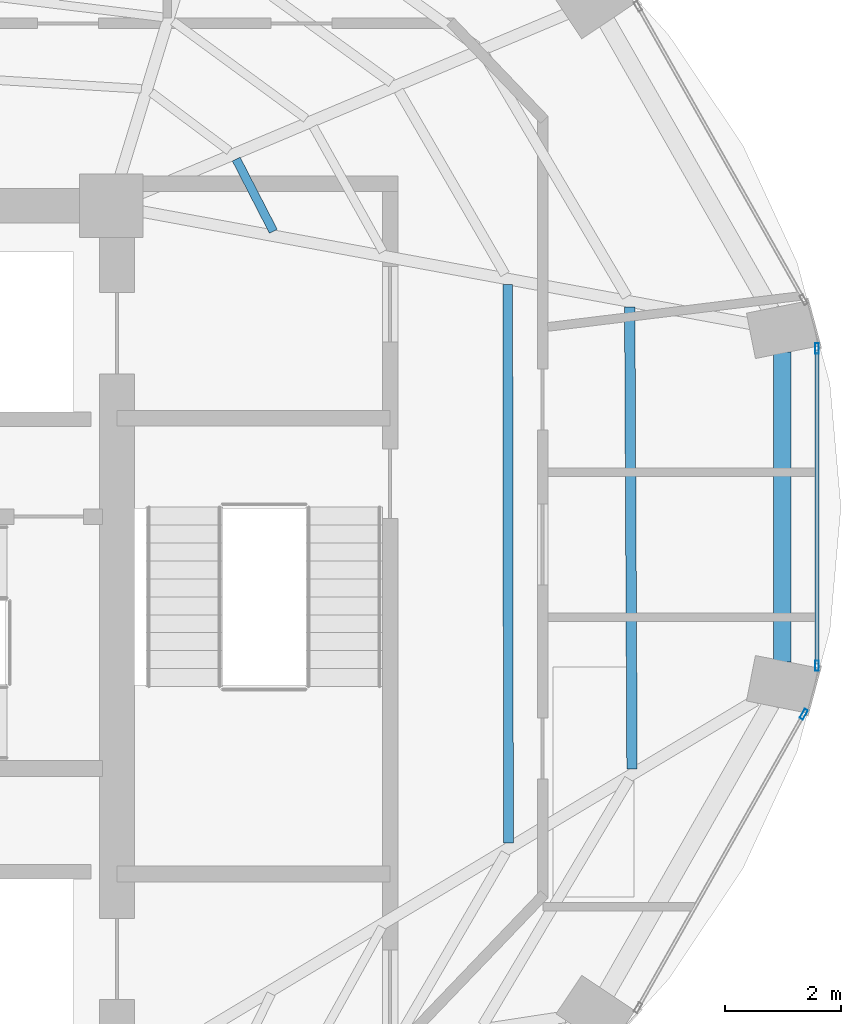
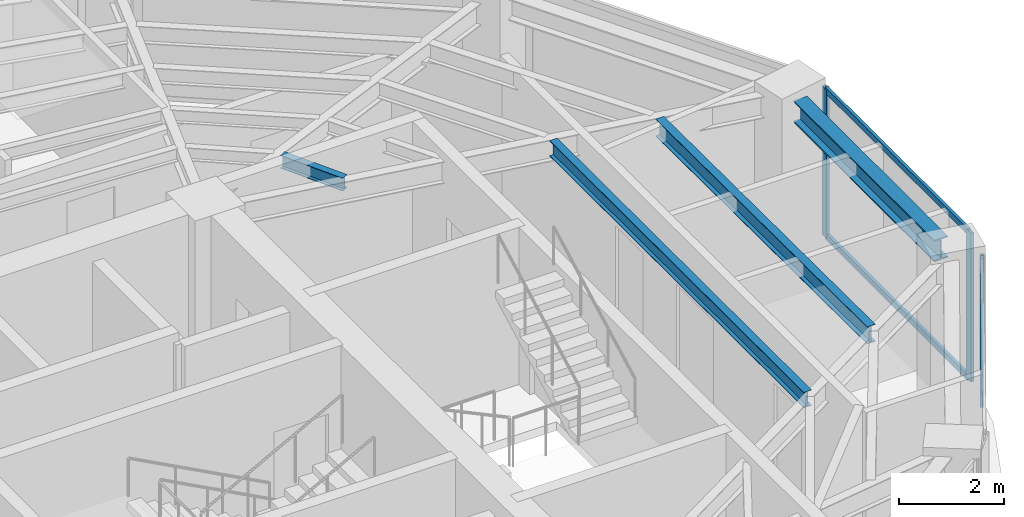
# One storey, part 12 of 21: 5 members, 4 beams, 2 elements without a shape of their own.
"""IFC4 building model written with IfcOpenShell, lengths in metres."""

from ifc_helpers import new_model, si_unit, direction, frame, origin, origin_2d, place, context, subcontext, project, spatial, hollow_rectangle, i_section, extrude, material, layer, layer_set, material_profile, profile_set, type_object, element, aggregate, save


model = new_model("IFC4")

# Units and contexts
model_context = context("Model", 3, precision=1e-05, world=origin(), true_north=direction((0.0, 1.0)))
body_context = subcontext(model_context, "Body", "Model", "MODEL_VIEW")
ifc_project = project(units=[si_unit("LENGTHUNIT", "METRE"), si_unit("AREAUNIT", "SQUARE_METRE"), si_unit("VOLUMEUNIT", "CUBIC_METRE"), si_unit("PLANEANGLEUNIT", "RADIAN"), si_unit("MASSUNIT", "GRAM", prefix="KILO")], contexts=[model_context])

# Site, building, storey
site_placement = place(None, origin())
site = spatial("IfcSite", under=ifc_project, at=site_placement, CompositionType="ELEMENT")
building_placement = place(site_placement, origin())
building = spatial("IfcBuilding", under=site, at=building_placement, Name="Lazwardi Medical Tower", CompositionType="ELEMENT")
storey_placement = place(building_placement, frame((0.0, 0.0, 220.367919921875)))
storey = spatial("IfcBuildingStorey", under=building, at=storey_placement, Name="L57", CompositionType="ELEMENT", Elevation=220.367919921875)

# Beams
ifc_material_1 = material(Name="Steel S355", Category="steel")
ifc_material_profile_1 = material_profile(ifc_material_1, i_section(OverallWidth=0.300048828125, OverallDepth=0.5, WebThickness=0.014404296875, FlangeThickness=0.028076171875, at=origin_2d()), Name="HEB 500")
ifc_profile_set_1 = profile_set([ifc_material_profile_1], Name="Steel S355")
beam_type_1 = type_object("IfcBeamType", Name="BM-RB-Z4", PredefinedType="BEAM", material=ifc_profile_set_1)
beam_1_placement = place(storey_placement, frame((57.18505859375, 27.72705078125, 3.197998046875), z_axis=(0.0, 1.0, 0.0), x_axis=(-1.0, 0.0, 0.0)))
element("IfcBeam", 1, at=beam_1_placement, inside=storey, type_object=beam_type_1, Name="Ring beam RB-05 B04 L57", PredefinedType="BEAM", context=body_context, shape_type="SweptSolid", body=[
    extrude(i_section(OverallWidth=0.300048828125, OverallDepth=0.5, WebThickness=0.014404296875, FlangeThickness=0.028076171875, at=origin_2d()), origin(), (0.0, 0.0, 1.0), 5.345947265625),
])
ifc_material_profile_2 = material_profile(ifc_material_1, i_section(OverallWidth=0.179931640625, OverallDepth=0.39990234375, WebThickness=0.008544921875, FlangeThickness=0.013427734375, at=origin_2d()), Name="IPE 400")
ifc_profile_set_2 = profile_set([ifc_material_profile_2], Name="Steel S355")
beam_type_2 = type_object("IfcBeamType", Name="BM-SJ-01", PredefinedType="JOIST", material=ifc_profile_set_2)
beam_2_placement = place(storey_placement, frame((54.592041015625, 25.879638671875, 3.248046875), z_axis=(-0.004929366644, 0.999987850598, 0.0), x_axis=(-0.999987850598, -0.004929366644, 0.0)))
element("IfcBeam", 2, at=beam_2_placement, inside=storey, type_object=beam_type_2, Name="Secondary joist SJ-01 R1 B04 L57", PredefinedType="JOIST", context=body_context, shape_type="SweptSolid", body=[
    extrude(i_section(OverallWidth=0.179931640625, OverallDepth=0.39990234375, WebThickness=0.008544921875, FlangeThickness=0.013427734375, at=origin_2d()), origin(), (0.0, 0.0, 1.0), 7.973876953125),
])
ifc_material_profile_3 = material_profile(ifc_material_1, i_section(OverallWidth=0.169921875, OverallDepth=0.360107421875, WebThickness=0.008056640625, FlangeThickness=0.0126953125, at=origin_2d()), Name="IPE 360")
ifc_profile_set_3 = profile_set([ifc_material_profile_3], Name="Steel S355")
beam_type_3 = type_object("IfcBeamType", Name="BM-SJ-02", PredefinedType="JOIST", material=ifc_profile_set_3)
beam_3_placement = place(storey_placement, frame((52.458984375, 24.602294921875, 3.26806640625), z_axis=(-0.001367606673, 0.999999064826, 0.0), x_axis=(-0.999999064826, -0.001367606673, 0.0)))
element("IfcBeam", 3, at=beam_3_placement, inside=storey, type_object=beam_type_3, Name="Secondary joist SJ-02 R2 B04 L57", PredefinedType="JOIST", context=body_context, shape_type="SweptSolid", body=[
    extrude(i_section(OverallWidth=0.169921875, OverallDepth=0.360107421875, WebThickness=0.008056640625, FlangeThickness=0.0126953125, at=origin_2d()), origin(), (0.0, 0.0, 1.0), 9.639892578125),
])
ifc_material_profile_4 = material_profile(ifc_material_1, i_section(OverallWidth=0.14990234375, OverallDepth=0.300048828125, WebThickness=0.007080078125, FlangeThickness=0.0107421875, at=origin_2d()), Name="IPE 300")
ifc_profile_set_4 = profile_set([ifc_material_profile_4], Name="Steel S355")
beam_type_4 = type_object("IfcBeamType", Name="BM-SJ-03", PredefinedType="JOIST", material=ifc_profile_set_4)
beam_4_placement = place(storey_placement, frame((48.39990234375, 35.159912109375, 3.298095703125), z_axis=(-0.457285056668, 0.889320176848, 0.0), x_axis=(-0.889320176848, -0.457285056668, 0.0)))
element("IfcBeam", 4, at=beam_4_placement, inside=storey, type_object=beam_type_4, Name="Secondary joist SJ-03 R4 B05 L57", PredefinedType="JOIST", context=body_context, shape_type="SweptSolid", body=[
    extrude(i_section(OverallWidth=0.14990234375, OverallDepth=0.300048828125, WebThickness=0.007080078125, FlangeThickness=0.0107421875, at=origin_2d()), origin(), (0.0, 0.0, 1.0), 1.402099609375),
])

# Curtain wall, member
ifc_material_2 = material(Name="Anodised bronze aluminium and solar control glazing", Category="aluminium")
ifc_layer = layer(ifc_material_2, 0.18994140625)
ifc_layer_set = layer_set([ifc_layer], Name="Anodised bronze aluminium and solar control glazing")
curtain_wall_type = type_object("IfcCurtainWallType", Name="CW-SYS-04", PredefinedType="NOTDEFINED", material=ifc_layer_set)
curtain_wall_1_placement = place(storey_placement, origin())
curtain_wall_1 = element("IfcCurtainWall", 5, at=curtain_wall_1_placement, inside=storey, type_object=curtain_wall_type, Name="L57 Unitised bronze curtain wall CW-04", PredefinedType="NOTDEFINED")
ifc_material_3 = material(Name="Anodised bronze aluminium", Category="aluminium")
ifc_material_profile_5 = material_profile(ifc_material_3, hollow_rectangle(XDim=0.06494140625, YDim=0.179931640625, WallThickness=0.00390625, at=origin_2d()), Name="ALU-MULLION 180x65x4")
ifc_profile_set_5 = profile_set([ifc_material_profile_5], Name="Anodised bronze aluminium")
member_type_1 = type_object("IfcMemberType", Name="CW-MUL-03", PredefinedType="MULLION", material=ifc_profile_set_5)
member_1_placement = place(storey_placement, frame((57.557373046875, 26.82177734375, 0.0), z_axis=(0.0, 0.0, 1.0), x_axis=(-0.870651436011, 0.491900474661, 0.0)))
member_1 = element("IfcMember", 6, at=member_1_placement, type_object=member_type_1, Name="CW-04 mullion 2", PredefinedType="MULLION", context=body_context, shape_type="SweptSolid", body=[
    extrude(hollow_rectangle(XDim=0.06494140625, YDim=0.179931640625, WallThickness=0.00390625, at=origin_2d()), origin(), (0.0, 0.0, 1.0), 3.447998046875),
])
aggregate(curtain_wall_1, [member_1])

# Curtain wall, members
curtain_wall_2_placement = place(storey_placement, origin())
curtain_wall_2 = element("IfcCurtainWall", 7, at=curtain_wall_2_placement, inside=storey, type_object=curtain_wall_type, Name="L57 Unitised bronze curtain wall CW-04", PredefinedType="NOTDEFINED")
member_2_placement = place(storey_placement, frame((57.7841796875, 27.659423828125, 0.0), z_axis=(0.0, 0.0, 1.0), x_axis=(-1.0, 0.0, 0.0)))
member_2 = element("IfcMember", 8, at=member_2_placement, type_object=member_type_1, Name="CW-04 mullion 1", PredefinedType="MULLION", context=body_context, shape_type="SweptSolid", body=[
    extrude(hollow_rectangle(XDim=0.06494140625, YDim=0.179931640625, WallThickness=0.00390625, at=origin_2d()), origin(), (0.0, 0.0, 1.0), 3.447998046875),
])
member_3_placement = place(storey_placement, frame((57.7841796875, 33.140380859375, 0.0), z_axis=(0.0, 0.0, 1.0), x_axis=(-1.0, 0.0, 0.0)))
member_3 = element("IfcMember", 9, at=member_3_placement, type_object=member_type_1, Name="CW-04 mullion 2", PredefinedType="MULLION", context=body_context, shape_type="SweptSolid", body=[
    extrude(hollow_rectangle(XDim=0.06494140625, YDim=0.179931640625, WallThickness=0.00390625, at=origin_2d()), origin(), (0.0, 0.0, 1.0), 3.447998046875),
])
ifc_material_profile_6 = material_profile(ifc_material_3, hollow_rectangle(XDim=0.06494140625, YDim=0.139892578125, WallThickness=0.00341796875, at=origin_2d()), Name="ALU-TRANSOM 140x65x3.5")
ifc_profile_set_6 = profile_set([ifc_material_profile_6], Name="Anodised bronze aluminium")
member_type_2 = type_object("IfcMemberType", Name="CW-TRN-03", PredefinedType="USERDEFINED", material=ifc_profile_set_6)
member_4_placement = place(storey_placement, frame((57.7841796875, 27.69189453125, 0.032470703125), z_axis=(0.0, 1.0, 0.0), x_axis=(-1.0, 0.0, 0.0)))
member_4 = element("IfcMember", 10, at=member_4_placement, type_object=member_type_2, Name="CW-04 transom 1.1", ObjectType="TRANSOM", PredefinedType="USERDEFINED", context=body_context, shape_type="SweptSolid", body=[
    extrude(hollow_rectangle(XDim=0.06494140625, YDim=0.139892578125, WallThickness=0.00341796875, at=origin_2d()), origin(), (0.0, 0.0, 1.0), 5.416015625),
])
member_5_placement = place(storey_placement, frame((57.7841796875, 27.69189453125, 3.41552734375), z_axis=(0.0, 1.0, 0.0), x_axis=(-1.0, 0.0, 0.0)))
member_5 = element("IfcMember", 11, at=member_5_placement, type_object=member_type_2, Name="CW-04 transom 1.2", ObjectType="TRANSOM", PredefinedType="USERDEFINED", context=body_context, shape_type="SweptSolid", body=[
    extrude(hollow_rectangle(XDim=0.06494140625, YDim=0.139892578125, WallThickness=0.00341796875, at=origin_2d()), origin(), (0.0, 0.0, 1.0), 5.416015625),
])
aggregate(curtain_wall_2, [member_2, member_3, member_4, member_5])

save(model, "model.ifc")
